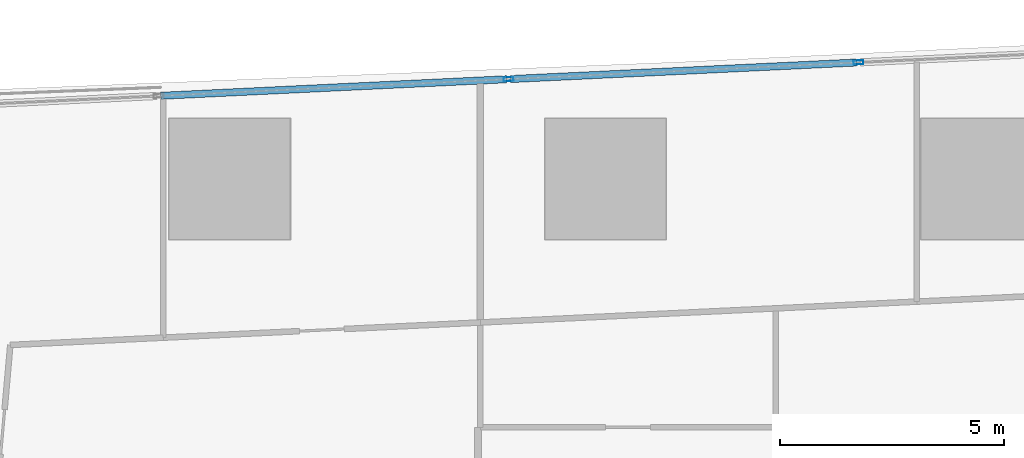
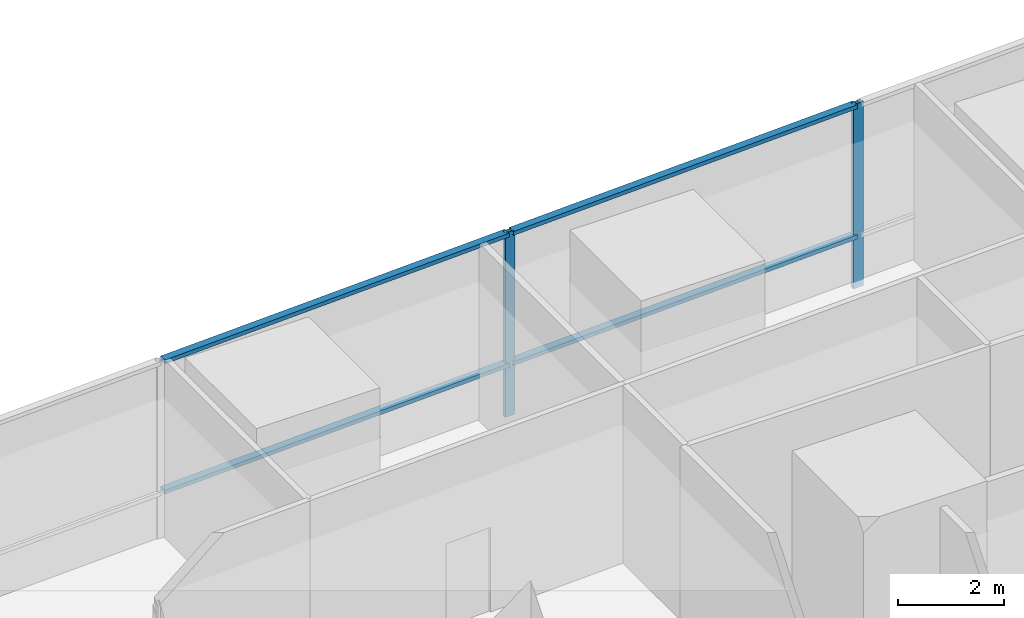
# One storey, part 9 of 39: 6 members, 1 element without a shape of its own.
"""IFC4 building model written with IfcOpenShell, lengths in metres."""

import ifcopenshell
import ifcopenshell.guid

model = None  # the IFC model being written
_history = None  # IfcOwnerHistory: only IFC2X3 demands one
_inside = {}  # id of a spatial element -> (the spatial element, [elements in it])
_under = {}  # id of a project, library or spatial element -> (it, [spatial elements below it])
_declared = {}  # id of a project -> (the project, [libraries it declares])
_typed = {}  # id of a type object -> (the type object, [elements of that type])
_made_of = {}  # id of a material, layer set ... -> (it, [elements and type objects made of it])


def new_model(schema):
    """Start an empty IFC model of exactly this schema.

    Asked for "IFC4X3", IfcOpenShell would pick the latest addendum, in which some entities
    have other attributes; the version numbers below select the first issue.
    IFC2X3 requires an IfcOwnerHistory on every rooted entity: one is made here for all.
    """
    global model, _history
    if schema == "IFC4X3":
        model = ifcopenshell.file(schema_version=(4, 3, 0, 0))
    else:
        model = ifcopenshell.file(schema=schema)
    _inside.clear()
    _under.clear()
    _declared.clear()
    _typed.clear()
    _made_of.clear()
    _history = None
    if model.schema == "IFC2X3":
        org = make("IfcOrganization", Name="unknown")
        user = make(
            "IfcPersonAndOrganization",
            ThePerson=make("IfcPerson", FamilyName="unknown"),
            TheOrganization=org,
        )
        app = make(
            "IfcApplication",
            ApplicationDeveloper=org,
            Version="unknown",
            ApplicationFullName="unknown",
            ApplicationIdentifier="unknown",
        )
        _history = make(
            "IfcOwnerHistory",
            OwningUser=user,
            OwningApplication=app,
            ChangeAction="ADDED",
            CreationDate=0,
        )
    return model


def make(cls, **values):
    """One entity of the class cls with the attributes given. An attribute that is None is left unset."""
    return model.create_entity(
        cls, **{name: value for name, value in values.items() if value is not None}
    )


def rooted(cls, **values):
    """An entity with a GlobalId (a new one), such as an element, a storey or a relation."""
    return make(cls, GlobalId=ifcopenshell.guid.new(), OwnerHistory=_history, **values)


def si_unit(unit_type, name, prefix=None):
    """IfcSIUnit, for example si_unit("LENGTHUNIT", "METRE", prefix="MILLI")."""
    return make("IfcSIUnit", UnitType=unit_type, Prefix=prefix, Name=name)


def assignment(units):
    """IfcUnitAssignment: the units of a project."""
    return None if units is None else make("IfcUnitAssignment", Units=units)


def point(xyz):
    """IfcCartesianPoint."""
    return None if xyz is None else make("IfcCartesianPoint", Coordinates=xyz)


def direction(xyz):
    """IfcDirection."""
    return None if xyz is None else make("IfcDirection", DirectionRatios=xyz)


def frame(location, z_axis=None, x_axis=None):
    """IfcAxis2Placement3D, a coordinate frame: its origin and axes. An axis left out is left unset."""
    return make(
        "IfcAxis2Placement3D",
        Location=point(location),
        Axis=direction(z_axis),
        RefDirection=direction(x_axis),
    )


def frame_2d(location, x_axis=None):
    """IfcAxis2Placement2D, a coordinate frame in the plane: its origin and x axis."""
    return make(
        "IfcAxis2Placement2D", Location=point(location), RefDirection=direction(x_axis)
    )


def origin():
    """The frame at (0, 0, 0) with its axes left unset."""
    return frame((0.0, 0.0, 0.0))


def origin_2d():
    """The frame at (0, 0) in the plane with its x axis left unset."""
    return frame_2d((0.0, 0.0))


def place(relative_to, where):
    """IfcLocalPlacement: puts the frame where relative to a parent placement (None: the world)."""
    return make(
        "IfcLocalPlacement", PlacementRelTo=relative_to, RelativePlacement=where
    )


def context(
    kind, dimensions, precision=None, world=None, true_north=None, identifier=None
):
    """IfcGeometricRepresentationContext, for example the 3D "Model" context."""
    return make(
        "IfcGeometricRepresentationContext",
        ContextIdentifier=identifier,
        ContextType=kind,
        CoordinateSpaceDimension=dimensions,
        Precision=precision,
        WorldCoordinateSystem=world,
        TrueNorth=true_north,
    )


def subcontext(parent, identifier, kind, view, scale=None):
    """IfcGeometricRepresentationSubContext, for example "Body" below "Model"."""
    return make(
        "IfcGeometricRepresentationSubContext",
        ContextIdentifier=identifier,
        ContextType=kind,
        ParentContext=parent,
        TargetScale=scale,
        TargetView=view,
    )


def project(units=None, contexts=None):
    """IfcProject with its units and contexts."""
    return rooted(
        "IfcProject",
        Name="project",
        RepresentationContexts=contexts,
        UnitsInContext=assignment(units),
    )


def spatial(cls, under=None, at=None, **own):
    """A site, building, storey or space (cls), placed at a placement, below another one or the project."""
    s = rooted(cls, ObjectPlacement=at, **own)
    if under is not None:
        _under.setdefault(under.id(), (under, []))[1].append(s)
    return s


def profile(cls, at=None, kind="AREA", **sizes):
    """A parametric profile (cls). Its sizes go by their IFC names, for example OverallWidth=200.0."""
    return make(cls, ProfileType=kind, Position=at, **sizes)


def hollow_rectangle(**sizes):
    """IfcRectangleHollowProfileDef."""
    return profile("IfcRectangleHollowProfileDef", **sizes)


def extrude(swept, where, along, depth):
    """IfcExtrudedAreaSolid: the profile swept, set in the frame where, extruded along a direction by depth."""
    return make(
        "IfcExtrudedAreaSolid",
        SweptArea=swept,
        Position=where,
        ExtrudedDirection=direction(along),
        Depth=depth,
    )


def shape(context_of_items, identifier, shape_type, items):
    """IfcShapeRepresentation: the items that make up one representation, for example the "Body"."""
    return make(
        "IfcShapeRepresentation",
        ContextOfItems=context_of_items,
        RepresentationIdentifier=identifier,
        RepresentationType=shape_type,
        Items=items,
    )


def material(Name=None, Category=None):
    """IfcMaterial."""
    return make("IfcMaterial", Name=Name, Category=Category)


def material_profile(
    of_material, cross_section, Name=None, Category=None, Priority=None
):
    """IfcMaterialProfile: a cross section and its material."""
    return make(
        "IfcMaterialProfile",
        Name=Name,
        Material=of_material,
        Profile=cross_section,
        Priority=Priority,
        Category=Category,
    )


def profile_set(profiles, Name=None, composite=None):
    """IfcMaterialProfileSet."""
    return make(
        "IfcMaterialProfileSet",
        Name=Name,
        MaterialProfiles=profiles,
        CompositeProfile=composite,
    )


def made_of(thing, what):
    """Note that an element or type object is made of a material, layer set ...; save() writes the relation."""
    if what is not None:
        _made_of.setdefault(what.id(), (what, []))[1].append(thing)
    return thing


def type_object(cls, material=None, **own):
    """A type object (cls), such as IfcWallType, which elements share."""
    return made_of(rooted(cls, **own), material)


def element(
    cls,
    number,
    at=None,
    inside=None,
    cuts=None,
    type_object=None,
    material=None,
    context=None,
    identifier="Body",
    shape_type=None,
    held_by="IfcProductDefinitionShape",
    body=None,
    shapes=None,
    **own,
):
    """One element of the class cls, such as IfcWall. Its Tag is "e" and its number.

    at: its placement. inside: the storey or other place that contains it. cuts: it is an
    opening in that element (IfcRelVoidsElement). A single representation is given by context,
    identifier, shape_type and body (its items); several are given by shapes. held_by: the class
    of the entity that holds the representations. save() writes the other relations.
    """
    e = rooted(cls, Tag="e%d" % number, ObjectPlacement=at, **own)
    if body is not None:
        shapes = [shape(context, identifier, shape_type, body)]
    if shapes is not None:
        e.Representation = make(held_by, Representations=shapes)
    if inside is not None:
        _inside.setdefault(inside.id(), (inside, []))[1].append(e)
    if cuts is not None:
        rooted(
            "IfcRelVoidsElement", RelatingBuildingElement=cuts, RelatedOpeningElement=e
        )
    if type_object is not None:
        _typed.setdefault(type_object.id(), (type_object, []))[1].append(e)
    return made_of(e, material)


def aggregate(whole, parts):
    """IfcRelAggregates: a whole, such as a stair, and the parts it consists of."""
    return rooted("IfcRelAggregates", RelatingObject=whole, RelatedObjects=parts)


def save(model, path):
    """Write the relations noted so far, then the file.

    IfcRelAggregates (storeys below a building ...), IfcRelContainedInSpatialStructure (elements
    in a storey), IfcRelDefinesByType, IfcRelAssociatesMaterial and IfcRelDeclares: one each for
    every whole, place, type object, material and project.
    """
    for whole, parts in _under.values():
        aggregate(whole, parts)
    for where, things in _inside.values():
        rooted(
            "IfcRelContainedInSpatialStructure",
            RelatedElements=things,
            RelatingStructure=where,
        )
    for kind, things in _typed.values():
        rooted("IfcRelDefinesByType", RelatedObjects=things, RelatingType=kind)
    for what, things in _made_of.values():
        rooted("IfcRelAssociatesMaterial", RelatedObjects=things, RelatingMaterial=what)
    for by, libraries in _declared.values():
        rooted("IfcRelDeclares", RelatingContext=by, RelatedDefinitions=libraries)
    model.write(path)


model = new_model("IFC4")

# Units and contexts
model_context = context("Model", 3, precision=1e-05, world=origin(), true_north=direction((0.0, 1.0)))
body_context = subcontext(model_context, "Body", "Model", "MODEL_VIEW")
ifc_project = project(units=[si_unit("LENGTHUNIT", "METRE"), si_unit("AREAUNIT", "SQUARE_METRE"), si_unit("VOLUMEUNIT", "CUBIC_METRE"), si_unit("PLANEANGLEUNIT", "RADIAN"), si_unit("MASSUNIT", "GRAM", prefix="KILO")], contexts=[model_context])

# Site, building, storey
site_placement = place(None, origin())
site = spatial("IfcSite", under=ifc_project, at=site_placement, CompositionType="ELEMENT")
building_placement = place(site_placement, origin())
building = spatial("IfcBuilding", under=site, at=building_placement, Name="Rekha Terrace Tower", CompositionType="ELEMENT")
storey_placement = place(building_placement, frame((0.0, 0.0, 168.199951171875)))
storey = spatial("IfcBuildingStorey", under=building, at=storey_placement, Name="L42", CompositionType="ELEMENT", Elevation=168.199951171875)

# Curtain wall, members
ifc_material_1 = material(Name="Aluminium framing", Category="aluminium")
curtain_wall_type = type_object("IfcCurtainWallType", Name="CW5 sky garden glazing", PredefinedType="USERDEFINED", material=ifc_material_1)
curtain_wall_placement = place(storey_placement, origin())
curtain_wall = element("IfcCurtainWall", 1, at=curtain_wall_placement, inside=storey, type_object=curtain_wall_type, Name="CW5 sky garden curtain wall", ObjectType="SKY GARDEN CURTAIN WALL", PredefinedType="USERDEFINED")
ifc_material_2 = material(Name="Aluminium mullion section", Category="aluminium")
ifc_material_profile_1 = material_profile(ifc_material_2, hollow_rectangle(XDim=0.090087890625, YDim=0.219970703125, WallThickness=0.00390625, at=origin_2d()), Name="AL RHS 90x220")
ifc_profile_set_1 = profile_set([ifc_material_profile_1], Name="Aluminium mullion section")
member_type_1 = type_object("IfcMemberType", Name="CW5 mullion RHS 90 x 220", PredefinedType="MULLION", material=ifc_profile_set_1)
member_1_placement = place(storey_placement, frame((30.84716796875, 61.40185546875, 0.0), z_axis=(0.0, 0.0, 1.0), x_axis=(0.047758616983, -0.998858906204, 0.0)))
member_1 = element("IfcMember", 2, at=member_1_placement, type_object=member_type_1, Name="CW5 mullion 3", PredefinedType="MULLION", context=body_context, shape_type="SweptSolid", body=[
    extrude(hollow_rectangle(XDim=0.090087890625, YDim=0.219970703125, WallThickness=0.00390625, at=origin_2d()), origin(), (0.0, 0.0, 1.0), 4.25),
])
member_2_placement = place(storey_placement, frame((23.03125, 61.0283203125, 0.0), z_axis=(0.0, 0.0, 1.0), x_axis=(0.047758616983, -0.998858906204, 0.0)))
member_2 = element("IfcMember", 3, at=member_2_placement, type_object=member_type_1, Name="CW5 mullion 4", PredefinedType="MULLION", context=body_context, shape_type="SweptSolid", body=[
    extrude(hollow_rectangle(XDim=0.090087890625, YDim=0.219970703125, WallThickness=0.00390625, at=origin_2d()), origin(), (0.0, 0.0, 1.0), 4.25),
])
ifc_material_3 = material(Name="Aluminium transom section", Category="aluminium")
ifc_material_profile_2 = material_profile(ifc_material_3, hollow_rectangle(XDim=0.159912109375, YDim=0.090087890625, WallThickness=0.0029296875, at=origin_2d()), Name="AL RHS 160x90")
ifc_profile_set_2 = profile_set([ifc_material_profile_2], Name="Aluminium transom section")
member_type_2 = type_object("IfcMemberType", Name="CW5 transom RHS 90 x 160", PredefinedType="USERDEFINED", material=ifc_profile_set_2)
member_3_placement = place(storey_placement, frame((30.80224609375, 61.39990234375, 1.199951171875), z_axis=(-0.998857544304, -0.047787092273, 0.0), x_axis=(0.047787092273, -0.998857544304, 0.0)))
member_3 = element("IfcMember", 4, at=member_3_placement, type_object=member_type_2, Name="CW5 transom 3.2", ObjectType="TRANSOM", PredefinedType="USERDEFINED", context=body_context, shape_type="SweptSolid", body=[
    extrude(hollow_rectangle(XDim=0.159912109375, YDim=0.090087890625, WallThickness=0.0029296875, at=origin_2d()), origin(), (0.0, 0.0, 1.0), 7.73486328125),
])
member_4_placement = place(storey_placement, frame((30.80224609375, 61.39990234375, 4.205078125), z_axis=(-0.998857544304, -0.047787092273, 0.0), x_axis=(0.047787092273, -0.998857544304, 0.0)))
member_4 = element("IfcMember", 5, at=member_4_placement, type_object=member_type_2, Name="CW5 transom 3.3", ObjectType="TRANSOM", PredefinedType="USERDEFINED", context=body_context, shape_type="SweptSolid", body=[
    extrude(hollow_rectangle(XDim=0.159912109375, YDim=0.090087890625, WallThickness=0.0029296875, at=origin_2d()), origin(), (0.0, 0.0, 1.0), 7.73486328125),
])
member_5_placement = place(storey_placement, frame((22.986083984375, 61.026123046875, 1.199951171875), z_axis=(-0.998859050413, -0.047755600811, 0.0), x_axis=(0.047755600811, -0.998859050413, 0.0)))
member_5 = element("IfcMember", 6, at=member_5_placement, type_object=member_type_2, Name="CW5 transom 4.2", ObjectType="TRANSOM", PredefinedType="USERDEFINED", context=body_context, shape_type="SweptSolid", body=[
    extrude(hollow_rectangle(XDim=0.159912109375, YDim=0.090087890625, WallThickness=0.0029296875, at=origin_2d()), origin(), (0.0, 0.0, 1.0), 7.73486328125),
])
member_6_placement = place(storey_placement, frame((22.986083984375, 61.026123046875, 4.205078125), z_axis=(-0.998859050413, -0.047755600811, 0.0), x_axis=(0.047755600811, -0.998859050413, 0.0)))
member_6 = element("IfcMember", 7, at=member_6_placement, type_object=member_type_2, Name="CW5 transom 4.3", ObjectType="TRANSOM", PredefinedType="USERDEFINED", context=body_context, shape_type="SweptSolid", body=[
    extrude(hollow_rectangle(XDim=0.159912109375, YDim=0.090087890625, WallThickness=0.0029296875, at=origin_2d()), origin(), (0.0, 0.0, 1.0), 7.73486328125),
])
aggregate(curtain_wall, [member_1, member_2, member_3, member_4, member_5, member_6])

save(model, "model.ifc")
